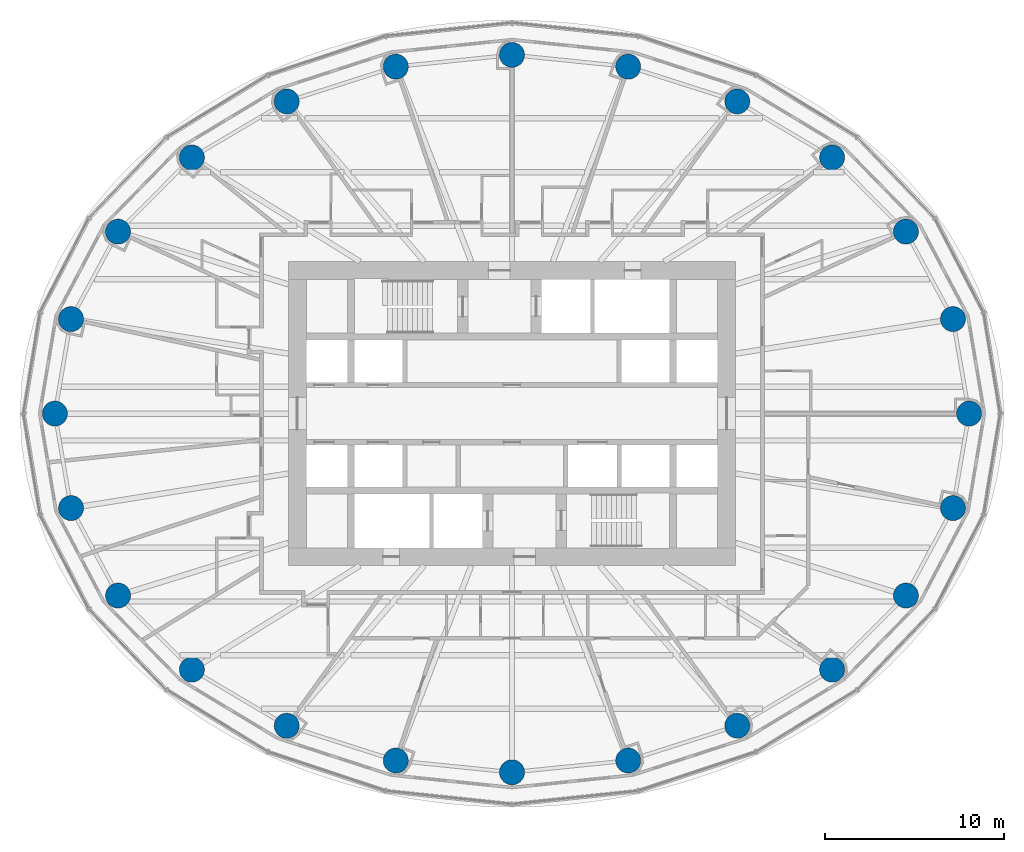
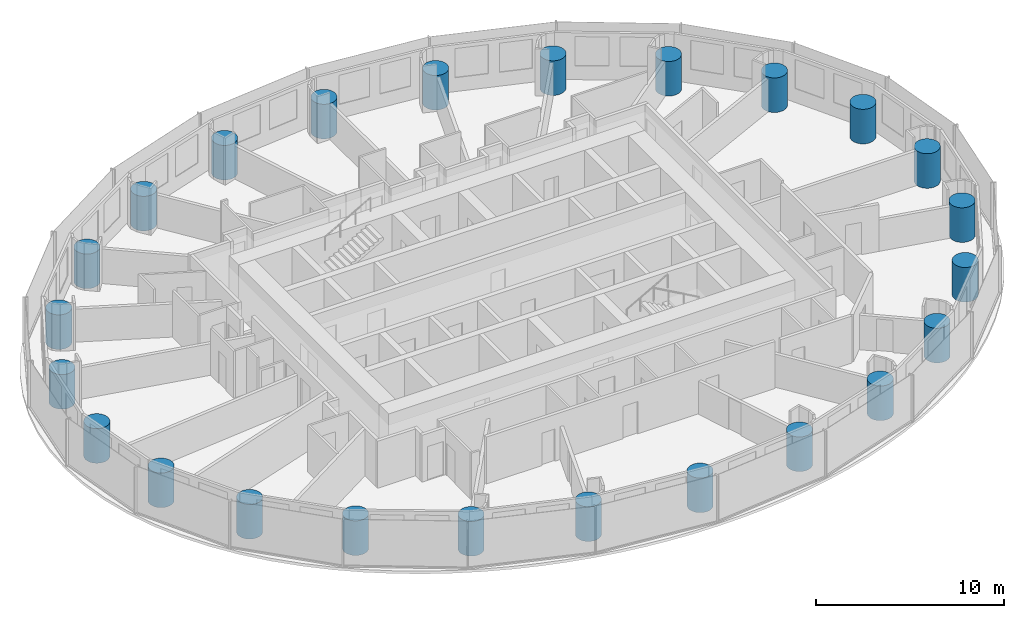
# One storey, part 1 of 14: 24 columns.
"""IFC4 building model written with IfcOpenShell, lengths in metres."""

from ifc_helpers import new_model, si_unit, direction, frame, origin, origin_2d, place, context, subcontext, project, spatial, circle, extrude, clip, halfspace, material, material_profile, profile_set, type_object, element, save


model = new_model("IFC4")

# Units and contexts
model_context = context("Model", 3, precision=1e-05, world=origin(), true_north=direction((0.0, 1.0)))
body_context = subcontext(model_context, "Body", "Model", "MODEL_VIEW")
ifc_project = project(units=[si_unit("LENGTHUNIT", "METRE"), si_unit("AREAUNIT", "SQUARE_METRE"), si_unit("VOLUMEUNIT", "CUBIC_METRE"), si_unit("PLANEANGLEUNIT", "RADIAN"), si_unit("MASSUNIT", "GRAM", prefix="KILO")], contexts=[model_context])

# Site, building, storey
site_placement = place(None, origin())
site = spatial("IfcSite", under=ifc_project, at=site_placement, CompositionType="ELEMENT")
building_placement = place(site_placement, origin())
building = spatial("IfcBuilding", under=site, at=building_placement, Name="Hankou Lantern Tower", CompositionType="ELEMENT")
storey_placement = place(building_placement, frame((0.0, 0.0, 90.300048828125)))
storey = spatial("IfcBuildingStorey", under=building, at=storey_placement, Name="L23", CompositionType="ELEMENT", Elevation=90.300048828125)

# Columns
ifc_material = material(Name="Concrete C60", Category="concrete")
ifc_material_profile = material_profile(ifc_material, circle(Radius=0.699951171875, at=origin_2d()), Name="RC D1400")
ifc_profile_set = profile_set([ifc_material_profile], Name="Concrete C60")
column_type = type_object("IfcColumnType", Name="TC2 PERIMETER COLUMN RC D1400", PredefinedType="COLUMN", material=ifc_profile_set)
for number, where, z_axis, x_axis, name in (
    (1, (25.550048828125, 0.0, 0.0), (0.0, 0.0, 1.0), (1.0, 0.0, 0.0), "Column R01 L23"),
    (2, (24.64697265625, 5.283203125, 0.0), (0.0, 0.0, 1.0), (1.0, 0.0, 0.0), "Column R02 L23"),
    (3, (22.01904296875, 10.170166015625, 0.0), (0.0, 0.0, 1.0), (1.0, 0.0, 0.0), "Column R03 L23"),
    (4, (17.891845703125, 14.3134765625, 0.0), (0.0, 0.0, 1.0), (1.0, 0.0, 0.0), "Column R04 L23"),
    (5, (12.5908203125, 17.446533203125, 0.0), (0.0, 0.0, 1.0), (1.0, 0.0, 0.0), "Column R05 L23"),
    (6, (6.494873046875, 19.391357421875, 0.0), (0.0, 0.0, 1.0), (1.0, 0.0, 0.0), "Column R06 L23"),
    (7, (0.0, 20.050048828125, 0.0), (0.0, 0.0, 1.0), (1.0, 0.0, 0.0), "Column R07 L23"),
    (8, (-6.494873046875, 19.391357421875, 0.0), (0.0, 0.0, 1.0), (1.0, 0.0, 0.0), "Column R08 L23"),
    (9, (-12.5908203125, 17.446533203125, 0.0), (0.0, 0.0, 1.0), (1.0, 0.0, 0.0), "Column R09 L23"),
    (10, (-17.891845703125, 14.3134765625, 0.0), (0.0, 0.0, 1.0), (1.0, 0.0, 0.0), "Column R10 L23"),
    (11, (-22.01904296875, 10.170166015625, 0.0), (0.0, 0.0, 1.0), (1.0, 0.0, 0.0), "Column R11 L23"),
    (12, (-24.64697265625, 5.283203125, 0.0), (0.0, 0.0, 1.0), (1.0, 0.0, 0.0), "Column R12 L23"),
    (13, (-25.550048828125, 0.0, 0.0), (0.0, 0.0, 1.0), (1.0, 0.0, 0.0), "Column R13 L23"),
    (14, (-24.64697265625, -5.283203125, 0.0), (0.0, 0.0, 1.0), (1.0, 0.0, 0.0), "Column R14 L23"),
    (15, (-22.01904296875, -10.170166015625, 0.0), (0.0, 0.0, 1.0), (1.0, 0.0, 0.0), "Column R15 L23"),
    (16, (-17.891845703125, -14.3134765625, 0.0), (0.0, 0.0, 1.0), (1.0, 0.0, 0.0), "Column R16 L23"),
    (17, (-12.5908203125, -17.446533203125, 0.0), (0.0, 0.0, 1.0), (1.0, 0.0, 0.0), "Column R17 L23"),
    (18, (-6.494873046875, -19.391357421875, 0.0), (0.0, 0.0, 1.0), (1.0, 0.0, 0.0), "Column R18 L23"),
    (19, (0.0, -20.050048828125, 0.0), (0.0, 0.0, 1.0), (1.0, 0.0, 0.0), "Column R19 L23"),
    (20, (6.494873046875, -19.391357421875, 0.0), (0.0, 0.0, 1.0), (1.0, 0.0, 0.0), "Column R20 L23"),
    (21, (12.5908203125, -17.446533203125, 0.0), (0.0, 0.0, 1.0), (1.0, 0.0, 0.0), "Column R21 L23"),
    (22, (17.891845703125, -14.3134765625, 0.0), (0.0, 0.0, 1.0), (1.0, 0.0, 0.0), "Column R22 L23"),
    (23, (22.01904296875, -10.170166015625, 0.0), (0.0, 0.0, 1.0), (1.0, 0.0, 0.0), "Column R23 L23"),
    (24, (24.64697265625, -5.283203125, 0.0), (0.0, 0.0, 1.0), (1.0, 0.0, 0.0), "Column R24 L23"),
):
    element("IfcColumn", number, at=place(storey_placement, frame(where, z_axis=z_axis, x_axis=x_axis)), inside=storey, type_object=column_type, Name=name, PredefinedType="COLUMN", context=body_context, shape_type="Clipping", body=[
        clip(extrude(circle(Radius=0.699951171875, at=origin_2d()), origin(), (0.0, 0.0, 1.0), 3.300048828125), halfspace(frame((0.0, 0.0, 2.25), z_axis=(0.0, 0.0, 1.0), x_axis=(1.0, 0.0, 0.0)), False)),
    ])

save(model, "model.ifc")
